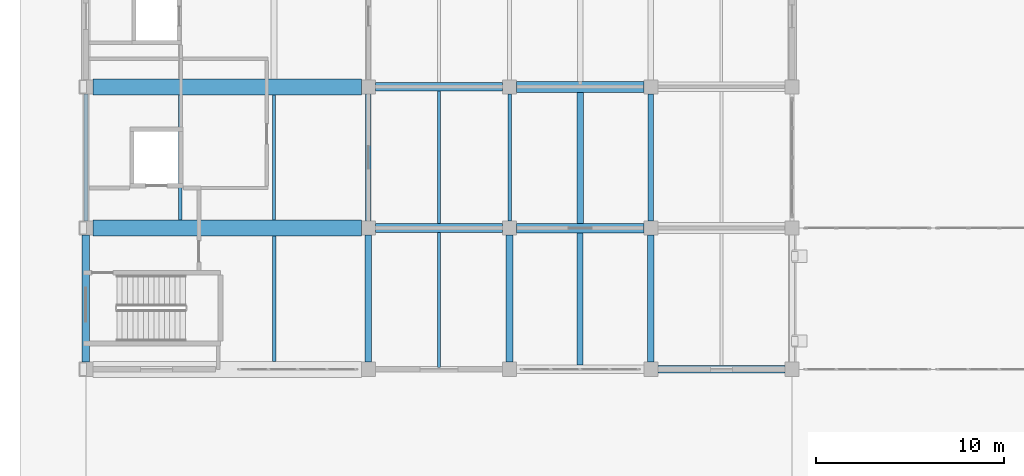
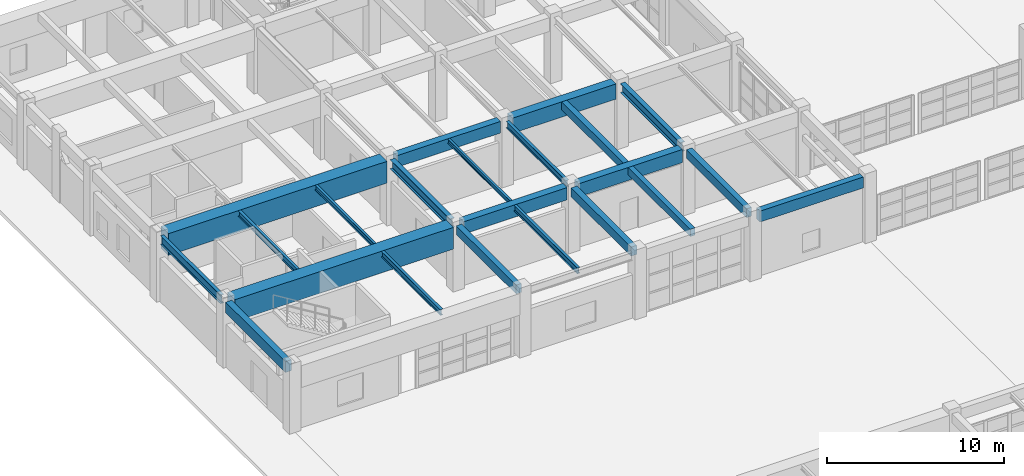
# One storey, part 33 of 122: 22 beams.
"""IFC4 building model written with IfcOpenShell, lengths in metres."""

from ifc_helpers import new_model, si_unit, direction, frame, origin, origin_2d, place, context, subcontext, project, spatial, rectangle, i_section, extrude, material, material_profile, profile_set, type_object, element, save


model = new_model("IFC4")

# Units and contexts
model_context = context("Model", 3, precision=1e-05, world=origin(), true_north=direction((0.0, 1.0)))
body_context = subcontext(model_context, "Body", "Model", "MODEL_VIEW")
ifc_project = project(units=[si_unit("LENGTHUNIT", "METRE"), si_unit("AREAUNIT", "SQUARE_METRE"), si_unit("VOLUMEUNIT", "CUBIC_METRE"), si_unit("PLANEANGLEUNIT", "RADIAN"), si_unit("MASSUNIT", "GRAM", prefix="KILO")], contexts=[model_context])

# Site, building, storey
site_placement = place(None, origin())
site = spatial("IfcSite", under=ifc_project, at=site_placement, CompositionType="ELEMENT")
building_placement = place(site_placement, origin())
building = spatial("IfcBuilding", under=site, at=building_placement, Name="Qasida Concert Hall", CompositionType="ELEMENT")
storey_placement = place(building_placement, origin())
storey = spatial("IfcBuildingStorey", under=building, at=storey_placement, Name="L00", CompositionType="ELEMENT", Elevation=0.0)

# Beams
ifc_material_1 = material(Name="Concrete C40/50", Category="concrete")
ifc_material_profile_1 = material_profile(ifc_material_1, rectangle(XDim=0.3798828125, YDim=0.6201171875, at=origin_2d()), Name="RC 380x620")
ifc_profile_set_1 = profile_set([ifc_material_profile_1], Name="Concrete C40/50")
beam_type_1 = type_object("IfcBeamType", Name="BM-B10", PredefinedType="BEAM", material=ifc_profile_set_1)
beam_1_placement = place(storey_placement, frame((22.5, 75.375, 4.18994140625), z_axis=(0.0, 1.0, 0.0), x_axis=(-1.0, 0.0, 0.0)))
element("IfcBeam", 1, at=beam_1_placement, inside=storey, type_object=beam_type_1, Name="L00 girder 0722", PredefinedType="BEAM", context=body_context, shape_type="SweptSolid", body=[
    extrude(rectangle(XDim=0.3798828125, YDim=0.6201171875, at=origin_2d()), origin(), (0.0, 0.0, 1.0), 6.75),
])
ifc_material_2 = material(Name="Steel S355J2", Category="steel")
ifc_material_profile_2 = material_profile(ifc_material_2, i_section(OverallWidth=0.300048828125, OverallDepth=0.64990234375, WebThickness=0.01611328125, FlangeThickness=0.031005859375, FilletRadius=0.027099609375, at=origin_2d()), Name="HEB 650")
ifc_profile_set_2 = profile_set([ifc_material_profile_2], Name="Steel S355J2")
beam_type_2 = type_object("IfcBeamType", Name="BM-B13", PredefinedType="BEAM", material=ifc_profile_set_2)
for number, where, z_axis, x_axis, name in (
    (2, (15.0, 82.875, 4.175048828125), (0.0, 1.0, 0.0), (-1.0, 0.0, 0.0), "L00 girder 0718"),
    (3, (30.0, 82.875, 4.175048828125), (0.0, 1.0, 0.0), (-1.0, 0.0, 0.0), "L00 girder 0728"),
):
    element("IfcBeam", number, at=place(storey_placement, frame(where, z_axis=z_axis, x_axis=x_axis)), inside=storey, type_object=beam_type_2, Name=name, PredefinedType="BEAM", context=body_context, shape_type="SweptSolid", body=[
        extrude(i_section(OverallWidth=0.300048828125, OverallDepth=0.64990234375, WebThickness=0.01611328125, FlangeThickness=0.031005859375, FilletRadius=0.027099609375, at=origin_2d()), origin(), (0.0, 0.0, 1.0), 6.75),
    ])
ifc_material_profile_3 = material_profile(ifc_material_1, rectangle(XDim=0.35009765625, YDim=0.60009765625, at=origin_2d()), Name="RC 350x600")
ifc_profile_set_3 = profile_set([ifc_material_profile_3], Name="Concrete C40/50")
beam_type_3 = type_object("IfcBeamType", Name="BM-B2", PredefinedType="BEAM", material=ifc_profile_set_3)
for number, where, z_axis, x_axis, name in (
    (4, (15.0, 75.375, 4.199951171875), (0.0, 1.0, 0.0), (-1.0, 0.0, 0.0), "L00 girder 0717"),
    (5, (30.0, 75.375, 4.199951171875), (0.0, 1.0, 0.0), (-1.0, 0.0, 0.0), "L00 girder 0727"),
):
    element("IfcBeam", number, at=place(storey_placement, frame(where, z_axis=z_axis, x_axis=x_axis)), inside=storey, type_object=beam_type_3, Name=name, PredefinedType="BEAM", context=body_context, shape_type="SweptSolid", body=[
        extrude(rectangle(XDim=0.35009765625, YDim=0.60009765625, at=origin_2d()), origin(), (0.0, 0.0, 1.0), 6.75),
    ])
ifc_material_profile_4 = material_profile(ifc_material_2, i_section(OverallWidth=0.18994140625, OverallDepth=0.449951171875, WebThickness=0.009521484375, FlangeThickness=0.0146484375, FilletRadius=0.02099609375, at=origin_2d()), Name="IPE 450")
ifc_profile_set_4 = profile_set([ifc_material_profile_4], Name="Steel S355J2")
beam_type_4 = type_object("IfcBeamType", Name="BM-B5", PredefinedType="BEAM", material=ifc_profile_set_4)
beam_2_placement = place(storey_placement, frame((22.5, 82.875, 4.27490234375), z_axis=(0.0, 1.0, 0.0), x_axis=(-1.0, 0.0, 0.0)))
element("IfcBeam", 6, at=beam_2_placement, inside=storey, type_object=beam_type_4, Name="L00 girder 0723", PredefinedType="BEAM", context=body_context, shape_type="SweptSolid", body=[
    extrude(i_section(OverallWidth=0.18994140625, OverallDepth=0.449951171875, WebThickness=0.009521484375, FlangeThickness=0.0146484375, FilletRadius=0.02099609375, at=origin_2d()), origin(), (0.0, 0.0, 1.0), 6.75),
])
ifc_material_profile_5 = material_profile(ifc_material_1, rectangle(XDim=0.5, YDim=0.89990234375, at=origin_2d()), Name="RC 500x900")
ifc_profile_set_5 = profile_set([ifc_material_profile_5], Name="Concrete C40/50")
beam_type_5 = type_object("IfcBeamType", Name="BM-G1", PredefinedType="USERDEFINED", material=ifc_profile_set_5)
beam_3_placement = place(storey_placement, frame((22.875, 82.5, 4.050048828125), z_axis=(1.0, 0.0, 0.0), x_axis=(0.0, 1.0, 0.0)))
element("IfcBeam", 7, at=beam_3_placement, inside=storey, type_object=beam_type_5, Name="Primary girder 0694", ObjectType="GIRDER", PredefinedType="USERDEFINED", context=body_context, shape_type="SweptSolid", body=[
    extrude(rectangle(XDim=0.5, YDim=0.89990234375, at=origin_2d()), origin(), (0.0, 0.0, 1.0), 6.75),
])
ifc_material_profile_6 = material_profile(ifc_material_1, rectangle(XDim=0.449951171875, YDim=0.800048828125, at=origin_2d()), Name="RC 450x800")
ifc_profile_set_6 = profile_set([ifc_material_profile_6], Name="Concrete C40/50")
beam_type_6 = type_object("IfcBeamType", Name="BM-G2", PredefinedType="USERDEFINED", material=ifc_profile_set_6)
beam_4_placement = place(storey_placement, frame((15.375, 90.0, 4.10009765625), z_axis=(1.0, 0.0, 0.0), x_axis=(0.0, 1.0, 0.0)))
element("IfcBeam", 8, at=beam_4_placement, inside=storey, type_object=beam_type_6, Name="Primary girder 0697", ObjectType="GIRDER", PredefinedType="USERDEFINED", context=body_context, shape_type="SweptSolid", body=[
    extrude(rectangle(XDim=0.449951171875, YDim=0.800048828125, at=origin_2d()), origin(), (0.0, 0.0, 1.0), 6.75),
])
ifc_material_profile_7 = material_profile(ifc_material_1, rectangle(XDim=0.47998046875, YDim=0.85009765625, at=origin_2d()), Name="RC 480x850")
ifc_profile_set_7 = profile_set([ifc_material_profile_7], Name="Concrete C40/50")
beam_type_7 = type_object("IfcBeamType", Name="BM-G6", PredefinedType="USERDEFINED", material=ifc_profile_set_7)
beam_5_placement = place(storey_placement, frame((15.375, 82.5, 4.074951171875), z_axis=(1.0, 0.0, 0.0), x_axis=(0.0, 1.0, 0.0)))
element("IfcBeam", 9, at=beam_5_placement, inside=storey, type_object=beam_type_7, Name="Primary girder 0693", ObjectType="GIRDER", PredefinedType="USERDEFINED", context=body_context, shape_type="SweptSolid", body=[
    extrude(rectangle(XDim=0.47998046875, YDim=0.85009765625, at=origin_2d()), origin(), (0.0, 0.0, 1.0), 6.75),
])
ifc_material_3 = material(Name="Concrete C50/60", Category="concrete")
ifc_material_profile_8 = material_profile(ifc_material_3, rectangle(XDim=0.580078125, YDim=1.050048828125, at=origin_2d()), Name="RC 580x1050")
ifc_profile_set_8 = profile_set([ifc_material_profile_8], Name="Concrete C50/60")
beam_type_8 = type_object("IfcBeamType", Name="BM-G8", PredefinedType="USERDEFINED", material=ifc_profile_set_8)
beam_6_placement = place(storey_placement, frame((22.875, 90.0, 3.97509765625), z_axis=(1.0, 0.0, 0.0), x_axis=(0.0, 1.0, 0.0)))
element("IfcBeam", 10, at=beam_6_placement, inside=storey, type_object=beam_type_8, Name="Primary girder 0698", ObjectType="GIRDER", PredefinedType="USERDEFINED", context=body_context, shape_type="SweptSolid", body=[
    extrude(rectangle(XDim=0.580078125, YDim=1.050048828125, at=origin_2d()), origin(), (0.0, 0.0, 1.0), 6.75),
])
ifc_material_profile_9 = material_profile(ifc_material_2, i_section(OverallWidth=0.179931640625, OverallDepth=0.39990234375, WebThickness=0.008544921875, FlangeThickness=0.013427734375, FilletRadius=0.02099609375, at=origin_2d()), Name="IPE 400")
ifc_profile_set_9 = profile_set([ifc_material_profile_9], Name="Steel S355J2")
beam_type_9 = type_object("IfcBeamType", Name="BM-J3", PredefinedType="JOIST", material=ifc_profile_set_9)
for number, where, z_axis, x_axis, name in (
    (11, (10.0, 75.425048828125, 4.300048828125), (0.0, 1.0, 0.0), (-1.0, 0.0, 0.0), "L00 secondary joist 0737"),
    (12, (5.0, 82.925048828125, 4.300048828125), (0.0, 1.0, 0.0), (-1.0, 0.0, 0.0), "L00 secondary joist 0738"),
):
    element("IfcBeam", number, at=place(storey_placement, frame(where, z_axis=z_axis, x_axis=x_axis)), inside=storey, type_object=beam_type_9, Name=name, PredefinedType="JOIST", context=body_context, shape_type="SweptSolid", body=[
        extrude(i_section(OverallWidth=0.179931640625, OverallDepth=0.39990234375, WebThickness=0.008544921875, FlangeThickness=0.013427734375, FilletRadius=0.02099609375, at=origin_2d()), origin(), (0.0, 0.0, 1.0), 6.64990234375),
    ])
beam_7_placement = place(storey_placement, frame((18.75, 75.10498046875, 4.300048828125), z_axis=(0.0, 1.0, 0.0), x_axis=(-1.0, 0.0, 0.0)))
element("IfcBeam", 13, at=beam_7_placement, inside=storey, type_object=beam_type_9, Name="L00 secondary joist 0746", PredefinedType="JOIST", context=body_context, shape_type="SweptSolid", body=[
    extrude(i_section(OverallWidth=0.179931640625, OverallDepth=0.39990234375, WebThickness=0.008544921875, FlangeThickness=0.013427734375, FilletRadius=0.02099609375, at=origin_2d()), origin(), (0.0, 0.0, 1.0), 7.155029296875),
])
ifc_material_profile_10 = material_profile(ifc_material_2, i_section(OverallWidth=0.14990234375, OverallDepth=0.300048828125, WebThickness=0.007080078125, FlangeThickness=0.0107421875, FilletRadius=0.014892578125, at=origin_2d()), Name="IPE 300")
ifc_profile_set_10 = profile_set([ifc_material_profile_10], Name="Steel S355J2")
beam_type_10 = type_object("IfcBeamType", Name="BM-J4", PredefinedType="JOIST", material=ifc_profile_set_10)
beam_8_placement = place(storey_placement, frame((18.75, 82.739990234375, 4.35009765625), z_axis=(0.0, 1.0, 0.0), x_axis=(-1.0, 0.0, 0.0)))
element("IfcBeam", 14, at=beam_8_placement, inside=storey, type_object=beam_type_10, Name="L00 secondary joist 0747", PredefinedType="JOIST", context=body_context, shape_type="SweptSolid", body=[
    extrude(i_section(OverallWidth=0.14990234375, OverallDepth=0.300048828125, WebThickness=0.007080078125, FlangeThickness=0.0107421875, FilletRadius=0.014892578125, at=origin_2d()), origin(), (0.0, 0.0, 1.0), 7.034912109375),
])
ifc_material_profile_11 = material_profile(ifc_material_2, i_section(OverallWidth=0.159912109375, OverallDepth=0.330078125, WebThickness=0.007568359375, FlangeThickness=0.011474609375, FilletRadius=0.01806640625, at=origin_2d()), Name="IPE 330")
ifc_profile_set_11 = profile_set([ifc_material_profile_11], Name="Steel S355J2")
beam_type_11 = type_object("IfcBeamType", Name="BM-J5", PredefinedType="JOIST", material=ifc_profile_set_11)
beam_9_placement = place(storey_placement, frame((10.0, 82.925048828125, 4.3349609375), z_axis=(0.0, 1.0, 0.0), x_axis=(-1.0, 0.0, 0.0)))
element("IfcBeam", 15, at=beam_9_placement, inside=storey, type_object=beam_type_11, Name="L00 secondary joist 0739", PredefinedType="JOIST", context=body_context, shape_type="SweptSolid", body=[
    extrude(i_section(OverallWidth=0.159912109375, OverallDepth=0.330078125, WebThickness=0.007568359375, FlangeThickness=0.011474609375, FilletRadius=0.01806640625, at=origin_2d()), origin(), (0.0, 0.0, 1.0), 6.64990234375),
])
ifc_material_profile_12 = material_profile(ifc_material_1, rectangle(XDim=0.320068359375, YDim=0.5, at=origin_2d()), Name="RC 320x500")
ifc_profile_set_12 = profile_set([ifc_material_profile_12], Name="Concrete C40/50")
beam_type_12 = type_object("IfcBeamType", Name="BM-J7", PredefinedType="JOIST", material=ifc_profile_set_12)
beam_10_placement = place(storey_placement, frame((26.25, 75.22509765625, 4.25), z_axis=(0.0, 1.0, 0.0), x_axis=(-1.0, 0.0, 0.0)))
element("IfcBeam", 16, at=beam_10_placement, inside=storey, type_object=beam_type_12, Name="L00 secondary joist 0750", PredefinedType="JOIST", context=body_context, shape_type="SweptSolid", body=[
    extrude(rectangle(XDim=0.320068359375, YDim=0.5, at=origin_2d()), origin(), (0.0, 0.0, 1.0), 7.02490234375),
])
ifc_material_profile_13 = material_profile(ifc_material_1, rectangle(XDim=0.35009765625, YDim=0.550048828125, at=origin_2d()), Name="RC 350x550")
ifc_profile_set_13 = profile_set([ifc_material_profile_13], Name="Concrete C40/50")
beam_type_13 = type_object("IfcBeamType", Name="BM-J8", PredefinedType="JOIST", material=ifc_profile_set_13)
beam_11_placement = place(storey_placement, frame((26.25, 82.75, 4.22509765625), z_axis=(0.0, 1.0, 0.0), x_axis=(-1.0, 0.0, 0.0)))
element("IfcBeam", 17, at=beam_11_placement, inside=storey, type_object=beam_type_13, Name="L00 secondary joist 0751", PredefinedType="JOIST", context=body_context, shape_type="SweptSolid", body=[
    extrude(rectangle(XDim=0.35009765625, YDim=0.550048828125, at=origin_2d()), origin(), (0.0, 0.0, 1.0), 6.9599609375),
])
ifc_material_profile_14 = material_profile(ifc_material_1, rectangle(XDim=0.39990234375, YDim=0.75, at=origin_2d()), Name="RC 400x750")
ifc_profile_set_14 = profile_set([ifc_material_profile_14], Name="Concrete C40/50")
beam_type_14 = type_object("IfcBeamType", Name="BM-SP1", PredefinedType="SPANDREL", material=ifc_profile_set_14)
for number, where, z_axis, x_axis, name in (
    (18, (30.375, 75.0, 4.125), (1.0, 0.0, 0.0), (0.0, 1.0, 0.0), "Primary girder 0691"),
    (19, (0.0, 75.375, 4.125), (0.0, 1.0, 0.0), (-1.0, 0.0, 0.0), "L00 girder 0712"),
):
    element("IfcBeam", number, at=place(storey_placement, frame(where, z_axis=z_axis, x_axis=x_axis)), inside=storey, type_object=beam_type_14, Name=name, PredefinedType="SPANDREL", context=body_context, shape_type="SweptSolid", body=[
        extrude(rectangle(XDim=0.39990234375, YDim=0.75, at=origin_2d()), origin(), (0.0, 0.0, 1.0), 6.75),
    ])
ifc_material_profile_15 = material_profile(ifc_material_2, i_section(OverallWidth=0.219970703125, OverallDepth=0.60009765625, WebThickness=0.011962890625, FlangeThickness=0.01904296875, FilletRadius=0.02392578125, at=origin_2d()), Name="IPE 600")
ifc_profile_set_15 = profile_set([ifc_material_profile_15], Name="Steel S355J2")
beam_type_15 = type_object("IfcBeamType", Name="BM-SP3", PredefinedType="SPANDREL", material=ifc_profile_set_15)
beam_12_placement = place(storey_placement, frame((0.0, 82.875, 4.199951171875), z_axis=(0.0, 1.0, 0.0), x_axis=(-1.0, 0.0, 0.0)))
element("IfcBeam", 20, at=beam_12_placement, inside=storey, type_object=beam_type_15, Name="L00 girder 0713", PredefinedType="SPANDREL", context=body_context, shape_type="SweptSolid", body=[
    extrude(i_section(OverallWidth=0.219970703125, OverallDepth=0.60009765625, WebThickness=0.011962890625, FlangeThickness=0.01904296875, FilletRadius=0.02392578125, at=origin_2d()), origin(), (0.0, 0.0, 1.0), 6.75),
])
ifc_material_profile_16 = material_profile(ifc_material_3, rectangle(XDim=0.85009765625, YDim=1.5, at=origin_2d()), Name="RC 850x1500")
ifc_profile_set_16 = profile_set([ifc_material_profile_16], Name="Concrete C50/60")
beam_type_16 = type_object("IfcBeamType", Name="BM-TG2", PredefinedType="USERDEFINED", material=ifc_profile_set_16)
for number, where, z_axis, x_axis, name in (
    (21, (0.375, 82.5, 3.75), (1.0, 0.0, 0.0), (0.0, 1.0, 0.0), "Transfer girder TG-0692"),
    (22, (0.375, 90.0, 3.75), (1.0, 0.0, 0.0), (0.0, 1.0, 0.0), "Transfer girder TG-0696"),
):
    element("IfcBeam", number, at=place(storey_placement, frame(where, z_axis=z_axis, x_axis=x_axis)), inside=storey, type_object=beam_type_16, Name=name, ObjectType="GIRDER", PredefinedType="USERDEFINED", context=body_context, shape_type="SweptSolid", body=[
        extrude(rectangle(XDim=0.85009765625, YDim=1.5, at=origin_2d()), origin(), (0.0, 0.0, 1.0), 14.25),
    ])

save(model, "model.ifc")
